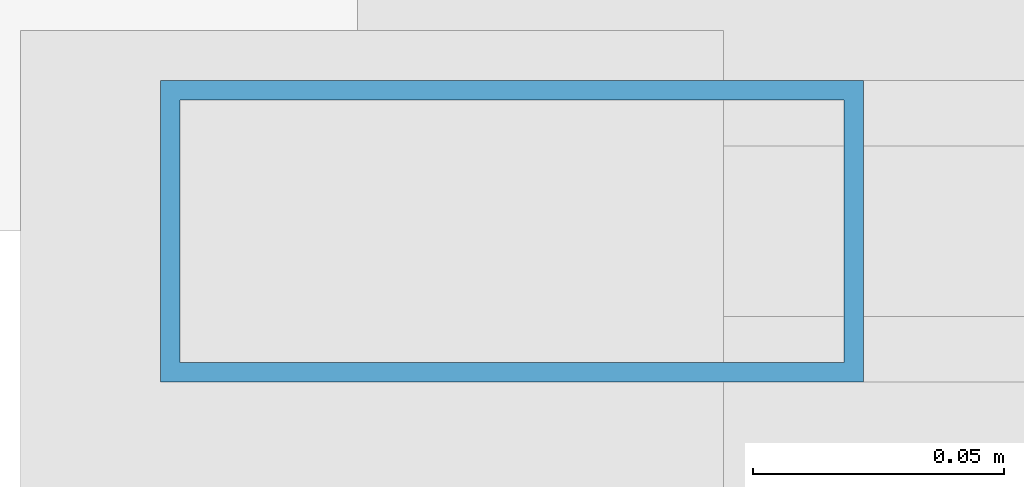
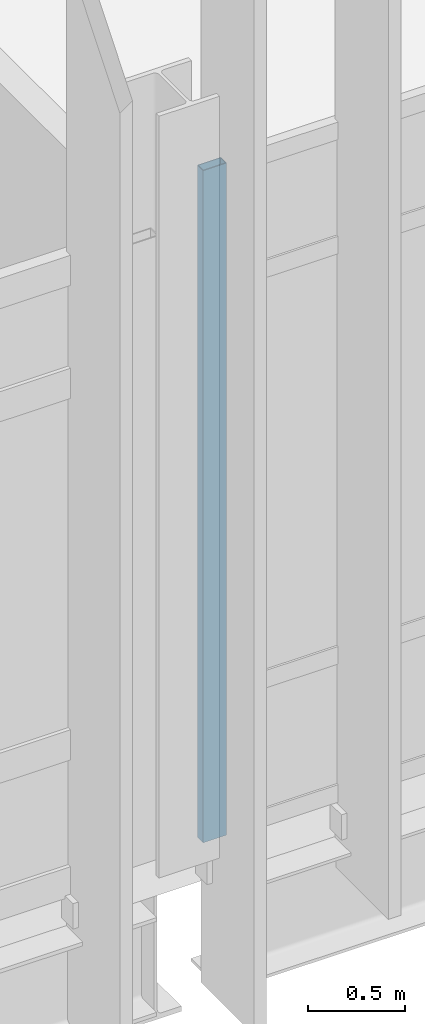
# One storey, part 22 of 153: 1 member, 1 element without a shape of its own.
"""IFC4 building model written with IfcOpenShell, lengths in metres."""

from ifc_helpers import new_model, si_unit, direction, frame, origin, origin_2d, place, context, subcontext, project, spatial, hollow_rectangle, extrude, material, layer, layer_set, material_profile, profile_set, type_object, element, aggregate, save


model = new_model("IFC4")

# Units and contexts
model_context = context("Model", 3, precision=1e-05, world=origin(), true_north=direction((0.0, 1.0)))
body_context = subcontext(model_context, "Body", "Model", "MODEL_VIEW")
ifc_project = project(units=[si_unit("LENGTHUNIT", "METRE"), si_unit("AREAUNIT", "SQUARE_METRE"), si_unit("VOLUMEUNIT", "CUBIC_METRE"), si_unit("PLANEANGLEUNIT", "RADIAN"), si_unit("MASSUNIT", "GRAM", prefix="KILO")], contexts=[model_context])

# Site, building, storey
site_placement = place(None, origin())
site = spatial("IfcSite", under=ifc_project, at=site_placement, CompositionType="ELEMENT")
building_placement = place(site_placement, origin())
building = spatial("IfcBuilding", under=site, at=building_placement, Name="Calvrana Isthmian Art Gallery", CompositionType="ELEMENT")
storey_placement = place(building_placement, frame((0.0, 0.0, 10.199951171875)))
storey = spatial("IfcBuildingStorey", under=building, at=storey_placement, Name="L02", CompositionType="ELEMENT", Elevation=10.199951171875)

# Curtain wall, member
ifc_material = material(Name="Anodized bronze aluminium 6063-T6", Category="aluminium")
ifc_layer = layer(ifc_material, 0.179931640625, Name="Anodized bronze aluminium 6063-T6")
ifc_layer_set = layer_set([ifc_layer], Name="Anodized bronze aluminium 6063-T6")
curtain_wall_type = type_object("IfcCurtainWallType", Name="CW-UNIT-080X42", PredefinedType="USERDEFINED", material=ifc_layer_set)
curtain_wall_placement = place(storey_placement, origin())
curtain_wall = element("IfcCurtainWall", 1, at=curtain_wall_placement, inside=storey, type_object=curtain_wall_type, Name="Curtain wall CW-150", ObjectType="UNITISED CURTAIN WALL", PredefinedType="USERDEFINED")
ifc_material_profile = material_profile(ifc_material, hollow_rectangle(XDim=0.06005859375, YDim=0.139892578125, WallThickness=0.00390625, at=origin_2d()), Name="CWM60X140")
ifc_profile_set = profile_set([ifc_material_profile], Name="Anodized bronze aluminium 6063-T6")
member_type = type_object("IfcMemberType", Name="CWM-CWM60X140", PredefinedType="MULLION", material=ifc_profile_set)
member_placement = place(storey_placement, frame((63.827880859375, 21.60009765625, 0.0), z_axis=(0.0, 0.0, 1.0), x_axis=(0.0, -1.0, 0.0)))
member = element("IfcMember", 2, at=member_placement, type_object=member_type, Name="CW-150 mullion 5", PredefinedType="MULLION", context=body_context, shape_type="SweptSolid", body=[
    extrude(hollow_rectangle(XDim=0.06005859375, YDim=0.139892578125, WallThickness=0.00390625, at=origin_2d()), origin(), (0.0, 0.0, 1.0), 4.2353515625),
])
aggregate(curtain_wall, [member])

save(model, "model.ifc")
